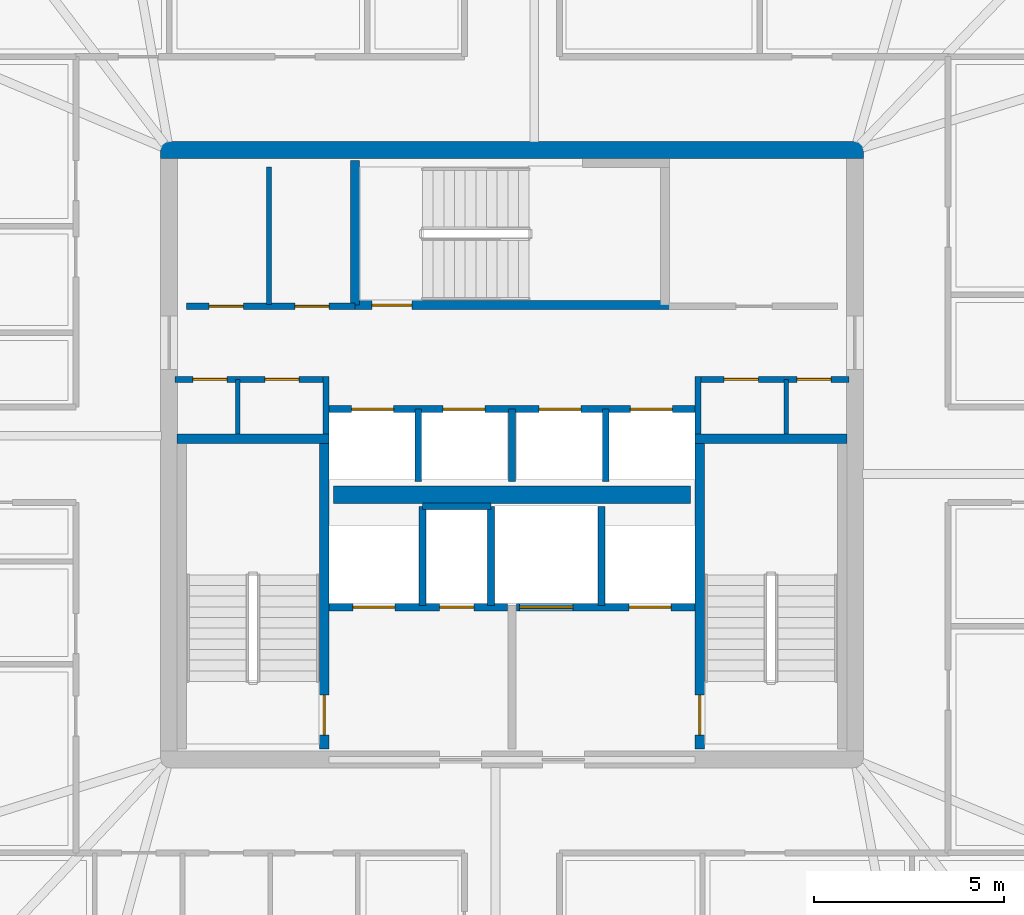
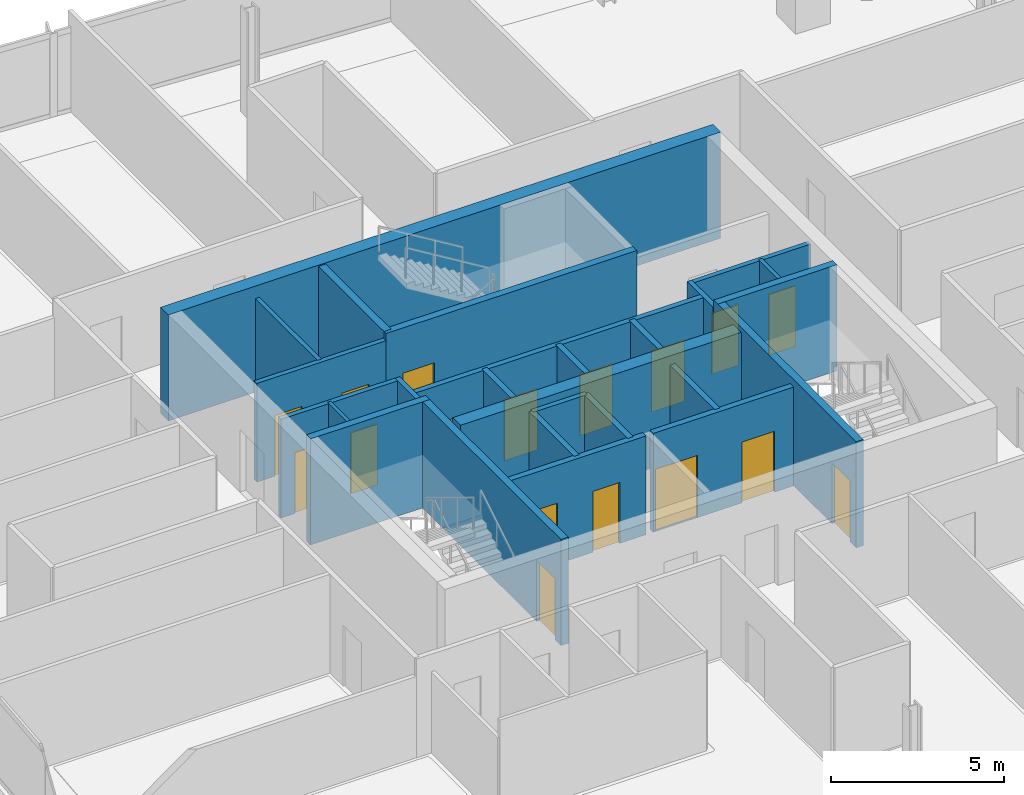
# One storey, part 19 of 24: 26 walls, 17 doors, 17 openings.
"""IFC4 building model written with IfcOpenShell, lengths in metres."""

import ifcopenshell
import ifcopenshell.guid

model = None  # the IFC model being written
_history = None  # IfcOwnerHistory: only IFC2X3 demands one
_inside = {}  # id of a spatial element -> (the spatial element, [elements in it])
_under = {}  # id of a project, library or spatial element -> (it, [spatial elements below it])
_declared = {}  # id of a project -> (the project, [libraries it declares])
_typed = {}  # id of a type object -> (the type object, [elements of that type])
_made_of = {}  # id of a material, layer set ... -> (it, [elements and type objects made of it])


def new_model(schema):
    """Start an empty IFC model of exactly this schema.

    Asked for "IFC4X3", IfcOpenShell would pick the latest addendum, in which some entities
    have other attributes; the version numbers below select the first issue.
    IFC2X3 requires an IfcOwnerHistory on every rooted entity: one is made here for all.
    """
    global model, _history
    if schema == "IFC4X3":
        model = ifcopenshell.file(schema_version=(4, 3, 0, 0))
    else:
        model = ifcopenshell.file(schema=schema)
    _inside.clear()
    _under.clear()
    _declared.clear()
    _typed.clear()
    _made_of.clear()
    _history = None
    if model.schema == "IFC2X3":
        org = make("IfcOrganization", Name="unknown")
        user = make(
            "IfcPersonAndOrganization",
            ThePerson=make("IfcPerson", FamilyName="unknown"),
            TheOrganization=org,
        )
        app = make(
            "IfcApplication",
            ApplicationDeveloper=org,
            Version="unknown",
            ApplicationFullName="unknown",
            ApplicationIdentifier="unknown",
        )
        _history = make(
            "IfcOwnerHistory",
            OwningUser=user,
            OwningApplication=app,
            ChangeAction="ADDED",
            CreationDate=0,
        )
    return model


def make(cls, **values):
    """One entity of the class cls with the attributes given. An attribute that is None is left unset."""
    return model.create_entity(
        cls, **{name: value for name, value in values.items() if value is not None}
    )


def rooted(cls, **values):
    """An entity with a GlobalId (a new one), such as an element, a storey or a relation."""
    return make(cls, GlobalId=ifcopenshell.guid.new(), OwnerHistory=_history, **values)


def si_unit(unit_type, name, prefix=None):
    """IfcSIUnit, for example si_unit("LENGTHUNIT", "METRE", prefix="MILLI")."""
    return make("IfcSIUnit", UnitType=unit_type, Prefix=prefix, Name=name)


def assignment(units):
    """IfcUnitAssignment: the units of a project."""
    return None if units is None else make("IfcUnitAssignment", Units=units)


def point(xyz):
    """IfcCartesianPoint."""
    return None if xyz is None else make("IfcCartesianPoint", Coordinates=xyz)


def direction(xyz):
    """IfcDirection."""
    return None if xyz is None else make("IfcDirection", DirectionRatios=xyz)


def frame(location, z_axis=None, x_axis=None):
    """IfcAxis2Placement3D, a coordinate frame: its origin and axes. An axis left out is left unset."""
    return make(
        "IfcAxis2Placement3D",
        Location=point(location),
        Axis=direction(z_axis),
        RefDirection=direction(x_axis),
    )


def frame_2d(location, x_axis=None):
    """IfcAxis2Placement2D, a coordinate frame in the plane: its origin and x axis."""
    return make(
        "IfcAxis2Placement2D", Location=point(location), RefDirection=direction(x_axis)
    )


def origin():
    """The frame at (0, 0, 0) with its axes left unset."""
    return frame((0.0, 0.0, 0.0))


def place(relative_to, where):
    """IfcLocalPlacement: puts the frame where relative to a parent placement (None: the world)."""
    return make(
        "IfcLocalPlacement", PlacementRelTo=relative_to, RelativePlacement=where
    )


def context(
    kind, dimensions, precision=None, world=None, true_north=None, identifier=None
):
    """IfcGeometricRepresentationContext, for example the 3D "Model" context."""
    return make(
        "IfcGeometricRepresentationContext",
        ContextIdentifier=identifier,
        ContextType=kind,
        CoordinateSpaceDimension=dimensions,
        Precision=precision,
        WorldCoordinateSystem=world,
        TrueNorth=true_north,
    )


def subcontext(parent, identifier, kind, view, scale=None):
    """IfcGeometricRepresentationSubContext, for example "Body" below "Model"."""
    return make(
        "IfcGeometricRepresentationSubContext",
        ContextIdentifier=identifier,
        ContextType=kind,
        ParentContext=parent,
        TargetScale=scale,
        TargetView=view,
    )


def project(units=None, contexts=None):
    """IfcProject with its units and contexts."""
    return rooted(
        "IfcProject",
        Name="project",
        RepresentationContexts=contexts,
        UnitsInContext=assignment(units),
    )


def spatial(cls, under=None, at=None, **own):
    """A site, building, storey or space (cls), placed at a placement, below another one or the project."""
    s = rooted(cls, ObjectPlacement=at, **own)
    if under is not None:
        _under.setdefault(under.id(), (under, []))[1].append(s)
    return s


def profile(cls, at=None, kind="AREA", **sizes):
    """A parametric profile (cls). Its sizes go by their IFC names, for example OverallWidth=200.0."""
    return make(cls, ProfileType=kind, Position=at, **sizes)


def rectangle(**sizes):
    """IfcRectangleProfileDef."""
    return profile("IfcRectangleProfileDef", **sizes)


def extrude(swept, where, along, depth):
    """IfcExtrudedAreaSolid: the profile swept, set in the frame where, extruded along a direction by depth."""
    return make(
        "IfcExtrudedAreaSolid",
        SweptArea=swept,
        Position=where,
        ExtrudedDirection=direction(along),
        Depth=depth,
    )


def shape(context_of_items, identifier, shape_type, items):
    """IfcShapeRepresentation: the items that make up one representation, for example the "Body"."""
    return make(
        "IfcShapeRepresentation",
        ContextOfItems=context_of_items,
        RepresentationIdentifier=identifier,
        RepresentationType=shape_type,
        Items=items,
    )


def material(Name=None, Category=None):
    """IfcMaterial."""
    return make("IfcMaterial", Name=Name, Category=Category)


def layer(
    of_material, thickness, ventilated=None, Name=None, Category=None, Priority=None
):
    """IfcMaterialLayer: one layer of a wall or slab, of a material (None: an air gap)."""
    return make(
        "IfcMaterialLayer",
        Material=of_material,
        LayerThickness=thickness,
        IsVentilated=ventilated,
        Name=Name,
        Category=Category,
        Priority=Priority,
    )


def layer_set(layers, Name=None):
    """IfcMaterialLayerSet."""
    return make("IfcMaterialLayerSet", MaterialLayers=layers, LayerSetName=Name)


def made_of(thing, what):
    """Note that an element or type object is made of a material, layer set ...; save() writes the relation."""
    if what is not None:
        _made_of.setdefault(what.id(), (what, []))[1].append(thing)
    return thing


def type_object(cls, material=None, **own):
    """A type object (cls), such as IfcWallType, which elements share."""
    return made_of(rooted(cls, **own), material)


def element(
    cls,
    number,
    at=None,
    inside=None,
    cuts=None,
    type_object=None,
    material=None,
    context=None,
    identifier="Body",
    shape_type=None,
    held_by="IfcProductDefinitionShape",
    body=None,
    shapes=None,
    **own,
):
    """One element of the class cls, such as IfcWall. Its Tag is "e" and its number.

    at: its placement. inside: the storey or other place that contains it. cuts: it is an
    opening in that element (IfcRelVoidsElement). A single representation is given by context,
    identifier, shape_type and body (its items); several are given by shapes. held_by: the class
    of the entity that holds the representations. save() writes the other relations.
    """
    e = rooted(cls, Tag="e%d" % number, ObjectPlacement=at, **own)
    if body is not None:
        shapes = [shape(context, identifier, shape_type, body)]
    if shapes is not None:
        e.Representation = make(held_by, Representations=shapes)
    if inside is not None:
        _inside.setdefault(inside.id(), (inside, []))[1].append(e)
    if cuts is not None:
        rooted(
            "IfcRelVoidsElement", RelatingBuildingElement=cuts, RelatedOpeningElement=e
        )
    if type_object is not None:
        _typed.setdefault(type_object.id(), (type_object, []))[1].append(e)
    return made_of(e, material)


def fill(opening, filler):
    """IfcRelFillsElement: the door or window that sits in an opening."""
    return rooted(
        "IfcRelFillsElement",
        RelatingOpeningElement=opening,
        RelatedBuildingElement=filler,
    )


def aggregate(whole, parts):
    """IfcRelAggregates: a whole, such as a stair, and the parts it consists of."""
    return rooted("IfcRelAggregates", RelatingObject=whole, RelatedObjects=parts)


def save(model, path):
    """Write the relations noted so far, then the file.

    IfcRelAggregates (storeys below a building ...), IfcRelContainedInSpatialStructure (elements
    in a storey), IfcRelDefinesByType, IfcRelAssociatesMaterial and IfcRelDeclares: one each for
    every whole, place, type object, material and project.
    """
    for whole, parts in _under.values():
        aggregate(whole, parts)
    for where, things in _inside.values():
        rooted(
            "IfcRelContainedInSpatialStructure",
            RelatedElements=things,
            RelatingStructure=where,
        )
    for kind, things in _typed.values():
        rooted("IfcRelDefinesByType", RelatedObjects=things, RelatingType=kind)
    for what, things in _made_of.values():
        rooted("IfcRelAssociatesMaterial", RelatedObjects=things, RelatingMaterial=what)
    for by, libraries in _declared.values():
        rooted("IfcRelDeclares", RelatingContext=by, RelatedDefinitions=libraries)
    model.write(path)


model = new_model("IFC4")

# Units and contexts
model_context = context("Model", 3, precision=1e-05, world=origin(), true_north=direction((0.0, 1.0)))
body_context = subcontext(model_context, "Body", "Model", "MODEL_VIEW")
ifc_project = project(units=[si_unit("LENGTHUNIT", "METRE"), si_unit("AREAUNIT", "SQUARE_METRE"), si_unit("VOLUMEUNIT", "CUBIC_METRE"), si_unit("PLANEANGLEUNIT", "RADIAN"), si_unit("MASSUNIT", "GRAM", prefix="KILO")], contexts=[model_context])

# Site, building, storey
site_placement = place(None, origin())
site = spatial("IfcSite", under=ifc_project, at=site_placement, CompositionType="ELEMENT")
building_placement = place(site_placement, origin())
building = spatial("IfcBuilding", under=site, at=building_placement, Name="Haldenkirk Collegiate Tower", CompositionType="ELEMENT")
storey_placement = place(building_placement, frame((0.0, 0.0, 317.699951171875)))
storey = spatial("IfcBuildingStorey", under=building, at=storey_placement, Name="L80", CompositionType="ELEMENT", Elevation=317.699951171875)

# Walls
ifc_material_1 = material(Name="Concrete f'c 55 MPa", Category="concrete")
ifc_layer_1 = layer(ifc_material_1, 0.449951171875)
ifc_layer_set_1 = layer_set([ifc_layer_1], Name="Concrete f'c 55 MPa")
wall_type_1 = type_object("IfcWallType", Name="WL-CORE-450", PredefinedType="SHEAR", material=ifc_layer_set_1)
wall_1_placement = place(storey_placement, frame((26.77490234375, 34.0, 0.0), z_axis=(0.0, 0.0, 1.0), x_axis=(1.0, 0.0, 0.0)))
element("IfcWall", 1, at=wall_1_placement, inside=storey, type_object=wall_type_1, Name="L80 central core shear wall N", PredefinedType="SHEAR", context=body_context, shape_type="SweptSolid", body=[
    extrude(rectangle(XDim=18.4501953125, YDim=0.449951171875, at=frame_2d((9.22509765625, 0.0))), origin(), (0.0, 0.0, 1.0), 3.75),
])
wall_2_placement = place(storey_placement, frame((31.31005859375, 24.949951171875, 0.0), z_axis=(0.0, 0.0, 1.0), x_axis=(1.0, 0.0, 0.0)))
element("IfcWall", 2, at=wall_2_placement, inside=storey, type_object=wall_type_1, Name="L80 central core spine shear wall", PredefinedType="SHEAR", context=body_context, shape_type="SweptSolid", body=[
    extrude(rectangle(XDim=9.3798828125, YDim=0.449951171875, at=frame_2d((4.68994140625, 0.0))), origin(), (0.0, 0.0, 1.0), 3.75),
])

# Wall, openings, doors
ifc_material_2 = material(Name="Acoustic fire-rated gypsum partition", Category="concrete")
ifc_layer_2 = layer(ifc_material_2, 0.159912109375)
ifc_layer_set_2 = layer_set([ifc_layer_2], Name="Acoustic fire-rated gypsum partition")
wall_type_2 = type_object("IfcWallType", Name="WL-INT-CORR-160", PredefinedType="PARTITIONING", material=ifc_layer_set_2)
wall_3_placement = place(storey_placement, frame((27.14990234375, 27.97998046875, 0.0), z_axis=(0.0, 0.0, 1.0), x_axis=(1.0, 0.0, 0.0)))
wall_3 = element("IfcWall", 3, at=wall_3_placement, inside=storey, type_object=wall_type_2, Name="L80 interior partition IW-L80-VCSW-N", PredefinedType="PARTITIONING", context=body_context, shape_type="SweptSolid", body=[
    extrude(rectangle(XDim=4.050048828125, YDim=0.159912109375, at=frame_2d((2.02490234375, 0.0))), origin(), (0.0, 0.0, 1.0), 3.489990234375),
])
opening_1_placement = place(wall_3_placement, frame((0.469970703125, 0.0, 0.0)))
opening_1 = element("IfcOpeningElement", 4, at=opening_1_placement, cuts=wall_3, Name="Opening D-11", PredefinedType="OPENING", context=body_context, shape_type="SweptSolid", body=[
    extrude(rectangle(XDim=0.89990234375, YDim=2.14990234375, at=frame_2d((0.449951171875, 1.074951171875))), frame((0.0, 0.08984375, 0.0), z_axis=(0.0, -1.0, 0.0), x_axis=(1.0, 0.0, 0.0)), (0.0, 0.0, 1.0), 0.179931640625),
])
opening_2_placement = place(wall_3_placement, frame((2.360107421875, 0.0, 0.0)))
opening_2 = element("IfcOpeningElement", 5, at=opening_2_placement, cuts=wall_3, Name="Opening D-11", PredefinedType="OPENING", context=body_context, shape_type="SweptSolid", body=[
    extrude(rectangle(XDim=0.89990234375, YDim=2.14990234375, at=frame_2d((0.449951171875, 1.074951171875))), frame((0.0, 0.08984375, 0.0), z_axis=(0.0, -1.0, 0.0), x_axis=(1.0, 0.0, 0.0)), (0.0, 0.0, 1.0), 0.179931640625),
])
ifc_material_3 = material(Name="Solid-core architectural oak fire door", Category="wood")
ifc_layer_3 = layer(ifc_material_3, 0.06005859375)
ifc_layer_set_3 = layer_set([ifc_layer_3], Name="Solid-core architectural oak fire door")
door_type_1 = type_object("IfcDoorType", Name="DR-INT-FD60-900", OperationType="NOTDEFINED", PredefinedType="DOOR", material=ifc_layer_set_3)
door_1_placement = place(opening_1_placement, origin())
door_1 = element("IfcDoor", 6, at=door_1_placement, inside=storey, type_object=door_type_1, Name="L80 core AV closet door", OperationType="SINGLE_SWING_RIGHT", OverallHeight=2.14990234375, OverallWidth=0.89990234375, PredefinedType="DOOR", context=body_context, shape_type="SweptSolid", body=[
    extrude(rectangle(XDim=0.89990234375, YDim=2.14990234375, at=frame_2d((0.449951171875, 1.074951171875))), frame((0.0, 0.02490234375, 0.0), z_axis=(0.0, -1.0, 0.0), x_axis=(1.0, 0.0, 0.0)), (0.0, 0.0, 1.0), 0.050048828125),
])
fill(opening_1, door_1)
door_2_placement = place(opening_2_placement, origin())
door_2 = element("IfcDoor", 7, at=door_2_placement, inside=storey, type_object=door_type_1, Name="L80 core supply closet door", OperationType="SINGLE_SWING_LEFT", OverallHeight=2.14990234375, OverallWidth=0.89990234375, PredefinedType="DOOR", context=body_context, shape_type="SweptSolid", body=[
    extrude(rectangle(XDim=0.89990234375, YDim=2.14990234375, at=frame_2d((0.449951171875, 1.074951171875))), frame((0.0, 0.02490234375, 0.0), z_axis=(0.0, -1.0, 0.0), x_axis=(1.0, 0.0, 0.0)), (0.0, 0.0, 1.0), 0.050048828125),
])
fill(opening_2, door_2)

# Wall
wall_4_placement = place(storey_placement, frame((31.1201171875, 26.5400390625, 0.0), z_axis=(0.0, 0.0, 1.0), x_axis=(0.0, 1.0, 0.0)))
element("IfcWall", 8, at=wall_4_placement, inside=storey, type_object=wall_type_2, Name="L80 interior partition IW-L80-VCSW-E", PredefinedType="PARTITIONING", context=body_context, shape_type="SweptSolid", body=[
    extrude(rectangle(XDim=1.510009765625, YDim=0.159912109375, at=frame_2d((0.7548828125, 0.0))), origin(), (0.0, 0.0, 1.0), 3.489990234375),
])

# Wall, openings, doors
wall_5_placement = place(storey_placement, frame((40.800048828125, 27.97998046875, 0.0), z_axis=(0.0, 0.0, 1.0), x_axis=(1.0, 0.0, 0.0)))
wall_5 = element("IfcWall", 9, at=wall_5_placement, inside=storey, type_object=wall_type_2, Name="L80 interior partition IW-L80-VCSE-N", PredefinedType="PARTITIONING", context=body_context, shape_type="SweptSolid", body=[
    extrude(rectangle(XDim=4.050048828125, YDim=0.159912109375, at=frame_2d((2.02490234375, 0.0))), origin(), (0.0, 0.0, 1.0), 3.489990234375),
])
opening_3_placement = place(wall_5_placement, frame((0.77001953125, 0.0, 0.0)))
opening_3 = element("IfcOpeningElement", 10, at=opening_3_placement, cuts=wall_5, Name="Opening D-11", PredefinedType="OPENING", context=body_context, shape_type="SweptSolid", body=[
    extrude(rectangle(XDim=0.89990234375, YDim=2.14990234375, at=frame_2d((0.449951171875, 1.074951171875))), frame((0.0, 0.08984375, 0.0), z_axis=(0.0, -1.0, 0.0), x_axis=(1.0, 0.0, 0.0)), (0.0, 0.0, 1.0), 0.179931640625),
])
opening_4_placement = place(wall_5_placement, frame((2.679931640625, 0.0, 0.0)))
opening_4 = element("IfcOpeningElement", 11, at=opening_4_placement, cuts=wall_5, Name="Opening D-11", PredefinedType="OPENING", context=body_context, shape_type="SweptSolid", body=[
    extrude(rectangle(XDim=0.89990234375, YDim=2.14990234375, at=frame_2d((0.449951171875, 1.074951171875))), frame((0.0, 0.08984375, 0.0), z_axis=(0.0, -1.0, 0.0), x_axis=(1.0, 0.0, 0.0)), (0.0, 0.0, 1.0), 0.179931640625),
])
door_3_placement = place(opening_3_placement, origin())
door_3 = element("IfcDoor", 12, at=door_3_placement, inside=storey, type_object=door_type_1, Name="L80 core archive door", OperationType="SINGLE_SWING_RIGHT", OverallHeight=2.14990234375, OverallWidth=0.89990234375, PredefinedType="DOOR", context=body_context, shape_type="SweptSolid", body=[
    extrude(rectangle(XDim=0.89990234375, YDim=2.14990234375, at=frame_2d((0.449951171875, 1.074951171875))), frame((0.0, 0.02490234375, 0.0), z_axis=(0.0, -1.0, 0.0), x_axis=(1.0, 0.0, 0.0)), (0.0, 0.0, 1.0), 0.050048828125),
])
fill(opening_3, door_3)
door_4_placement = place(opening_4_placement, origin())
door_4 = element("IfcDoor", 13, at=door_4_placement, inside=storey, type_object=door_type_1, Name="L80 core telecom door", OperationType="SINGLE_SWING_LEFT", OverallHeight=2.14990234375, OverallWidth=0.89990234375, PredefinedType="DOOR", context=body_context, shape_type="SweptSolid", body=[
    extrude(rectangle(XDim=0.89990234375, YDim=2.14990234375, at=frame_2d((0.449951171875, 1.074951171875))), frame((0.0, 0.02490234375, 0.0), z_axis=(0.0, -1.0, 0.0), x_axis=(1.0, 0.0, 0.0)), (0.0, 0.0, 1.0), 0.050048828125),
])
fill(opening_4, door_4)

# Wall
wall_6_placement = place(storey_placement, frame((40.8798828125, 26.5400390625, 0.0), z_axis=(0.0, 0.0, 1.0), x_axis=(0.0, 1.0, 0.0)))
element("IfcWall", 14, at=wall_6_placement, inside=storey, type_object=wall_type_2, Name="L80 interior partition IW-L80-VCSE-W", PredefinedType="PARTITIONING", context=body_context, shape_type="SweptSolid", body=[
    extrude(rectangle(XDim=1.510009765625, YDim=0.159912109375, at=frame_2d((0.7548828125, 0.0))), origin(), (0.0, 0.0, 1.0), 3.489990234375),
])

# Wall, openings, doors
wall_7_placement = place(storey_placement, frame((27.449951171875, 29.89990234375, 0.0), z_axis=(0.0, 0.0, 1.0), x_axis=(1.0, 0.0, 0.0)))
wall_7 = element("IfcWall", 15, at=wall_7_placement, inside=storey, type_object=wall_type_2, Name="L80 interior partition IW-L80-PLS", PredefinedType="PARTITIONING", context=body_context, shape_type="SweptSolid", body=[
    extrude(rectangle(XDim=4.429931640625, YDim=0.159912109375, at=frame_2d((2.21484375, 0.0))), origin(), (0.0, 0.0, 1.0), 3.489990234375),
])
opening_5_placement = place(wall_7_placement, frame((0.60009765625, 0.0, 0.0)))
opening_5 = element("IfcOpeningElement", 16, at=opening_5_placement, cuts=wall_7, Name="Opening D-11", PredefinedType="OPENING", context=body_context, shape_type="SweptSolid", body=[
    extrude(rectangle(XDim=0.89990234375, YDim=2.14990234375, at=frame_2d((0.449951171875, 1.074951171875))), frame((0.0, 0.08984375, 0.0), z_axis=(0.0, -1.0, 0.0), x_axis=(1.0, 0.0, 0.0)), (0.0, 0.0, 1.0), 0.179931640625),
])
opening_6_placement = place(wall_7_placement, frame((2.85009765625, 0.0, 0.0)))
opening_6 = element("IfcOpeningElement", 17, at=opening_6_placement, cuts=wall_7, Name="Opening D-11", PredefinedType="OPENING", context=body_context, shape_type="SweptSolid", body=[
    extrude(rectangle(XDim=0.89990234375, YDim=2.14990234375, at=frame_2d((0.449951171875, 1.074951171875))), frame((0.0, 0.08984375, 0.0), z_axis=(0.0, -1.0, 0.0), x_axis=(1.0, 0.0, 0.0)), (0.0, 0.0, 1.0), 0.179931640625),
])
door_5_placement = place(opening_5_placement, origin())
door_5 = element("IfcDoor", 18, at=door_5_placement, inside=storey, type_object=door_type_1, Name="L80 tea kitchen door", OperationType="SINGLE_SWING_RIGHT", OverallHeight=2.14990234375, OverallWidth=0.89990234375, PredefinedType="DOOR", context=body_context, shape_type="SweptSolid", body=[
    extrude(rectangle(XDim=0.89990234375, YDim=2.14990234375, at=frame_2d((0.449951171875, 1.074951171875))), frame((0.0, 0.02490234375, 0.0), z_axis=(0.0, -1.0, 0.0), x_axis=(1.0, 0.0, 0.0)), (0.0, 0.0, 1.0), 0.050048828125),
])
fill(opening_5, door_5)
door_6_placement = place(opening_6_placement, origin())
door_6 = element("IfcDoor", 19, at=door_6_placement, inside=storey, type_object=door_type_1, Name="L80 IT room door", OperationType="SINGLE_SWING_LEFT", OverallHeight=2.14990234375, OverallWidth=0.89990234375, PredefinedType="DOOR", context=body_context, shape_type="SweptSolid", body=[
    extrude(rectangle(XDim=0.89990234375, YDim=2.14990234375, at=frame_2d((0.449951171875, 1.074951171875))), frame((0.0, 0.02490234375, 0.0), z_axis=(0.0, -1.0, 0.0), x_axis=(1.0, 0.0, 0.0)), (0.0, 0.0, 1.0), 0.050048828125),
])
fill(opening_6, door_6)

# Walls
ifc_layer_4 = layer(ifc_material_2, 0.139892578125)
ifc_layer_set_4 = layer_set([ifc_layer_4], Name="Acoustic fire-rated gypsum partition")
wall_type_3 = type_object("IfcWallType", Name="WL-INT-DIV-140", PredefinedType="PARTITIONING", material=ifc_layer_set_4)
wall_8_placement = place(storey_placement, frame((29.6201171875, 29.949951171875, 0.0), z_axis=(0.0, 0.0, 1.0), x_axis=(0.0, 1.0, 0.0)))
element("IfcWall", 20, at=wall_8_placement, inside=storey, type_object=wall_type_3, Name="L80 interior partition IW-L80-PLDIV", PredefinedType="PARTITIONING", context=body_context, shape_type="SweptSolid", body=[
    extrude(rectangle(XDim=3.60009765625, YDim=0.139892578125, at=frame_2d((1.800048828125, 0.0))), origin(), (0.0, 0.0, 1.0), 3.489990234375),
])
ifc_material_4 = material(Name="Fire-rated gypsum shaftboard assembly", Category="concrete")
ifc_layer_5 = layer(ifc_material_4, 0.179931640625)
ifc_layer_set_5 = layer_set([ifc_layer_5], Name="Fire-rated gypsum shaftboard assembly")
wall_type_4 = type_object("IfcWallType", Name="WL-INT-SHAFT-180", PredefinedType="PARTITIONING", material=ifc_layer_set_5)
for number, where, z_axis, x_axis, name in (
    (21, (33.64990234375, 22.050048828125, 0.0), (0.0, 0.0, 1.0), (0.0, 1.0, 0.0), "L80 interior partition IW-L80-FL1E"),
    (22, (35.449951171875, 22.050048828125, 0.0), (0.0, 0.0, 1.0), (0.0, 1.0, 0.0), "L80 interior partition IW-L80-GL1W"),
):
    element("IfcWall", number, at=place(storey_placement, frame(where, z_axis=z_axis, x_axis=x_axis)), inside=storey, type_object=wall_type_4, Name=name, PredefinedType="PARTITIONING", context=body_context, shape_type="SweptSolid", body=[
        extrude(rectangle(XDim=2.599853515625, YDim=0.179931640625, at=frame_2d((1.2998046875, 0.0))), origin(), (0.0, 0.0, 1.0), 3.489990234375),
    ])
wall_9_placement = place(storey_placement, frame((33.64990234375, 24.64990234375, 0.0), z_axis=(0.0, 0.0, 1.0), x_axis=(1.0, 0.0, 0.0)))
element("IfcWall", 23, at=wall_9_placement, inside=storey, type_object=wall_type_4, Name="L80 interior partition IW-L80-RSRN", PredefinedType="PARTITIONING", context=body_context, shape_type="SweptSolid", body=[
    extrude(rectangle(XDim=1.800048828125, YDim=0.179931640625, at=frame_2d((0.89990234375, 0.0))), origin(), (0.0, 0.0, 1.0), 3.489990234375),
])
wall_10_placement = place(storey_placement, frame((38.35009765625, 22.050048828125, 0.0), z_axis=(0.0, 0.0, 1.0), x_axis=(0.0, 1.0, 0.0)))
element("IfcWall", 24, at=wall_10_placement, inside=storey, type_object=wall_type_4, Name="L80 interior partition IW-L80-GL1E", PredefinedType="PARTITIONING", context=body_context, shape_type="SweptSolid", body=[
    extrude(rectangle(XDim=2.599853515625, YDim=0.179931640625, at=frame_2d((1.2998046875, 0.0))), origin(), (0.0, 0.0, 1.0), 3.489990234375),
])

# Wall, openings, doors
wall_11_placement = place(storey_placement, frame((31.199951171875, 27.199951171875, 0.0), z_axis=(0.0, 0.0, 1.0), x_axis=(1.0, 0.0, 0.0)))
wall_11 = element("IfcWall", 25, at=wall_11_placement, inside=storey, type_object=wall_type_4, Name="L80 interior partition IW-L80-PHN", PredefinedType="PARTITIONING", context=body_context, shape_type="SweptSolid", body=[
    extrude(rectangle(XDim=9.60009765625, YDim=0.179931640625, at=frame_2d((4.800048828125, 0.0))), origin(), (0.0, 0.0, 1.0), 3.489990234375),
])
opening_7_placement = place(wall_11_placement, frame((0.590087890625, 0.0, 0.0)))
opening_7 = element("IfcOpeningElement", 26, at=opening_7_placement, cuts=wall_11, Name="Opening LD-11", PredefinedType="OPENING", context=body_context, shape_type="SweptSolid", body=[
    extrude(rectangle(XDim=1.10009765625, YDim=2.14990234375, at=frame_2d((0.550048828125, 1.074951171875))), frame((0.0, 0.099853515625, 0.0), z_axis=(0.0, -1.0, 0.0), x_axis=(1.0, 0.0, 0.0)), (0.0, 0.0, 1.0), 0.199951171875),
])
opening_8_placement = place(wall_11_placement, frame((2.989990234375, 0.0, 0.0)))
opening_8 = element("IfcOpeningElement", 27, at=opening_8_placement, cuts=wall_11, Name="Opening LD-11", PredefinedType="OPENING", context=body_context, shape_type="SweptSolid", body=[
    extrude(rectangle(XDim=1.10009765625, YDim=2.14990234375, at=frame_2d((0.550048828125, 1.074951171875))), frame((0.0, 0.099853515625, 0.0), z_axis=(0.0, -1.0, 0.0), x_axis=(1.0, 0.0, 0.0)), (0.0, 0.0, 1.0), 0.199951171875),
])
opening_9_placement = place(wall_11_placement, frame((5.510009765625, 0.0, 0.0)))
opening_9 = element("IfcOpeningElement", 28, at=opening_9_placement, cuts=wall_11, Name="Opening LD-11", PredefinedType="OPENING", context=body_context, shape_type="SweptSolid", body=[
    extrude(rectangle(XDim=1.10009765625, YDim=2.14990234375, at=frame_2d((0.550048828125, 1.074951171875))), frame((0.0, 0.099853515625, 0.0), z_axis=(0.0, -1.0, 0.0), x_axis=(1.0, 0.0, 0.0)), (0.0, 0.0, 1.0), 0.199951171875),
])
opening_10_placement = place(wall_11_placement, frame((7.909912109375, 0.0, 0.0)))
opening_10 = element("IfcOpeningElement", 29, at=opening_10_placement, cuts=wall_11, Name="Opening LD-11", PredefinedType="OPENING", context=body_context, shape_type="SweptSolid", body=[
    extrude(rectangle(XDim=1.10009765625, YDim=2.14990234375, at=frame_2d((0.550048828125, 1.074951171875))), frame((0.0, 0.099853515625, 0.0), z_axis=(0.0, -1.0, 0.0), x_axis=(1.0, 0.0, 0.0)), (0.0, 0.0, 1.0), 0.199951171875),
])
ifc_material_5 = material(Name="Brushed architectural stainless steel", Category="steel")
ifc_layer_6 = layer(ifc_material_5, 0.06005859375)
ifc_layer_set_6 = layer_set([ifc_layer_6], Name="Brushed architectural stainless steel")
door_type_2 = type_object("IfcDoorType", Name="LD-PASS-1100", OperationType="NOTDEFINED", PredefinedType="DOOR", material=ifc_layer_set_6)
door_7_placement = place(opening_7_placement, origin())
door_7 = element("IfcDoor", 30, at=door_7_placement, inside=storey, type_object=door_type_2, Name="L80 Elevator PH1 sliding landing door", OperationType="SLIDING_TO_LEFT", OverallHeight=2.14990234375, OverallWidth=1.10009765625, PredefinedType="DOOR", context=body_context, shape_type="SweptSolid", body=[
    extrude(rectangle(XDim=1.10009765625, YDim=2.14990234375, at=frame_2d((0.550048828125, 1.074951171875))), frame((0.0, 0.02490234375, 0.0), z_axis=(0.0, -1.0, 0.0), x_axis=(1.0, 0.0, 0.0)), (0.0, 0.0, 1.0), 0.050048828125),
])
fill(opening_7, door_7)
door_8_placement = place(opening_8_placement, origin())
door_8 = element("IfcDoor", 31, at=door_8_placement, inside=storey, type_object=door_type_2, Name="L80 Elevator PH2 sliding landing door", OperationType="SLIDING_TO_LEFT", OverallHeight=2.14990234375, OverallWidth=1.10009765625, PredefinedType="DOOR", context=body_context, shape_type="SweptSolid", body=[
    extrude(rectangle(XDim=1.10009765625, YDim=2.14990234375, at=frame_2d((0.550048828125, 1.074951171875))), frame((0.0, 0.02490234375, 0.0), z_axis=(0.0, -1.0, 0.0), x_axis=(1.0, 0.0, 0.0)), (0.0, 0.0, 1.0), 0.050048828125),
])
fill(opening_8, door_8)
door_9_placement = place(opening_9_placement, origin())
door_9 = element("IfcDoor", 32, at=door_9_placement, inside=storey, type_object=door_type_2, Name="L80 Elevator PH3 sliding landing door", OperationType="SLIDING_TO_LEFT", OverallHeight=2.14990234375, OverallWidth=1.10009765625, PredefinedType="DOOR", context=body_context, shape_type="SweptSolid", body=[
    extrude(rectangle(XDim=1.10009765625, YDim=2.14990234375, at=frame_2d((0.550048828125, 1.074951171875))), frame((0.0, 0.02490234375, 0.0), z_axis=(0.0, -1.0, 0.0), x_axis=(1.0, 0.0, 0.0)), (0.0, 0.0, 1.0), 0.050048828125),
])
fill(opening_9, door_9)
door_10_placement = place(opening_10_placement, origin())
door_10 = element("IfcDoor", 33, at=door_10_placement, inside=storey, type_object=door_type_2, Name="L80 Elevator PH4 sliding landing door", OperationType="SLIDING_TO_LEFT", OverallHeight=2.14990234375, OverallWidth=1.10009765625, PredefinedType="DOOR", context=body_context, shape_type="SweptSolid", body=[
    extrude(rectangle(XDim=1.10009765625, YDim=2.14990234375, at=frame_2d((0.550048828125, 1.074951171875))), frame((0.0, 0.02490234375, 0.0), z_axis=(0.0, -1.0, 0.0), x_axis=(1.0, 0.0, 0.0)), (0.0, 0.0, 1.0), 0.050048828125),
])
fill(opening_10, door_10)

# Walls
for number, where, z_axis, x_axis, name in (
    (34, (33.5400390625, 25.300048828125, 0.0), (0.0, 0.0, 1.0), (0.0, 1.0, 0.0), "L80 interior partition IW-L80-PHV1"),
    (35, (36.0, 25.300048828125, 0.0), (0.0, 0.0, 1.0), (0.0, 1.0, 0.0), "L80 interior partition IW-L80-PHV2"),
    (36, (38.4599609375, 25.300048828125, 0.0), (0.0, 0.0, 1.0), (0.0, 1.0, 0.0), "L80 interior partition IW-L80-PHV3"),
):
    element("IfcWall", number, at=place(storey_placement, frame(where, z_axis=z_axis, x_axis=x_axis)), inside=storey, type_object=wall_type_4, Name=name, PredefinedType="PARTITIONING", context=body_context, shape_type="SweptSolid", body=[
        extrude(rectangle(XDim=1.89990234375, YDim=0.179931640625, at=frame_2d((0.949951171875, 0.0))), origin(), (0.0, 0.0, 1.0), 3.489990234375),
    ])

# Wall, openings, doors
ifc_layer_7 = layer(ifc_material_4, 0.199951171875)
ifc_layer_set_7 = layer_set([ifc_layer_7], Name="Fire-rated gypsum shaftboard assembly")
wall_type_5 = type_object("IfcWallType", Name="WL-INT-SHAFT-200", PredefinedType="PARTITIONING", material=ifc_layer_set_7)
wall_12_placement = place(storey_placement, frame((31.18994140625, 22.0, 0.0), z_axis=(0.0, 0.0, 1.0), x_axis=(1.0, 0.0, 0.0)))
wall_12 = element("IfcWall", 37, at=wall_12_placement, inside=storey, type_object=wall_type_5, Name="L80 interior partition IW-L80-FFL1N", PredefinedType="PARTITIONING", context=body_context, shape_type="SweptSolid", body=[
    extrude(rectangle(XDim=4.68994140625, YDim=0.199951171875, at=frame_2d((2.344970703125, 0.0))), origin(), (0.0, 0.0, 1.0), 3.489990234375),
])
opening_11_placement = place(wall_12_placement, frame((2.909912109375, 0.0, 0.0)))
opening_11 = element("IfcOpeningElement", 38, at=opening_11_placement, cuts=wall_12, Name="Opening D-06", PredefinedType="OPENING", context=body_context, shape_type="SweptSolid", body=[
    extrude(rectangle(XDim=0.89990234375, YDim=2.14990234375, at=frame_2d((0.449951171875, 1.074951171875))), frame((0.0, 0.10986328125, 0.0), z_axis=(0.0, -1.0, 0.0), x_axis=(1.0, 0.0, 0.0)), (0.0, 0.0, 1.0), 0.219970703125),
])
opening_12_placement = place(wall_12_placement, frame((0.635009765625, 0.0, 0.0)))
opening_12 = element("IfcOpeningElement", 39, at=opening_12_placement, cuts=wall_12, Name="Opening LD-12", PredefinedType="OPENING", context=body_context, shape_type="SweptSolid", body=[
    extrude(rectangle(XDim=1.10009765625, YDim=2.14990234375, at=frame_2d((0.550048828125, 1.074951171875))), frame((0.0, 0.10986328125, 0.0), z_axis=(0.0, -1.0, 0.0), x_axis=(1.0, 0.0, 0.0)), (0.0, 0.0, 1.0), 0.219970703125),
])
ifc_material_6 = material(Name="Galvanized fire-rated hollow steel door", Category="steel")
ifc_layer_8 = layer(ifc_material_6, 0.06005859375)
ifc_layer_set_8 = layer_set([ifc_layer_8], Name="Galvanized fire-rated hollow steel door")
door_type_3 = type_object("IfcDoorType", Name="DR-INT-FD90-900", OperationType="NOTDEFINED", PredefinedType="DOOR", material=ifc_layer_set_8)
door_11_placement = place(opening_11_placement, origin())
door_11 = element("IfcDoor", 40, at=door_11_placement, inside=storey, type_object=door_type_3, Name="L80 electrical riser door", OperationType="SINGLE_SWING_RIGHT", OverallHeight=2.14990234375, OverallWidth=0.89990234375, PredefinedType="DOOR", context=body_context, shape_type="SweptSolid", body=[
    extrude(rectangle(XDim=0.89990234375, YDim=2.14990234375, at=frame_2d((0.449951171875, 1.074951171875))), frame((0.0, 0.02490234375, 0.0), z_axis=(0.0, -1.0, 0.0), x_axis=(1.0, 0.0, 0.0)), (0.0, 0.0, 1.0), 0.050048828125),
])
fill(opening_11, door_11)
ifc_layer_9 = layer(ifc_material_5, 0.06005859375)
ifc_layer_set_9 = layer_set([ifc_layer_9], Name="Brushed architectural stainless steel")
door_type_4 = type_object("IfcDoorType", Name="LD-FIRE-1100", OperationType="NOTDEFINED", PredefinedType="DOOR", material=ifc_layer_set_9)
door_12_placement = place(opening_12_placement, origin())
door_12 = element("IfcDoor", 41, at=door_12_placement, inside=storey, type_object=door_type_4, Name="L80 Elevator FL1 sliding landing door", OperationType="SLIDING_TO_LEFT", OverallHeight=2.14990234375, OverallWidth=1.10009765625, PredefinedType="DOOR", context=body_context, shape_type="SweptSolid", body=[
    extrude(rectangle(XDim=1.10009765625, YDim=2.14990234375, at=frame_2d((0.550048828125, 1.074951171875))), frame((0.0, 0.02490234375, 0.0), z_axis=(0.0, -1.0, 0.0), x_axis=(1.0, 0.0, 0.0)), (0.0, 0.0, 1.0), 0.050048828125),
])
fill(opening_12, door_12)

wall_13_placement = place(storey_placement, frame((36.1201171875, 22.0, 0.0), z_axis=(0.0, 0.0, 1.0), x_axis=(1.0, 0.0, 0.0)))
wall_13 = element("IfcWall", 42, at=wall_13_placement, inside=storey, type_object=wall_type_5, Name="L80 interior partition IW-L80-FFL2N", PredefinedType="PARTITIONING", context=body_context, shape_type="SweptSolid", body=[
    extrude(rectangle(XDim=4.68994140625, YDim=0.199951171875, at=frame_2d((2.344970703125, 0.0))), origin(), (0.0, 0.0, 1.0), 3.489990234375),
])
opening_13_placement = place(wall_13_placement, frame((2.955078125, 0.0, 0.0)))
opening_13 = element("IfcOpeningElement", 43, at=opening_13_placement, cuts=wall_13, Name="Opening LD-12", PredefinedType="OPENING", context=body_context, shape_type="SweptSolid", body=[
    extrude(rectangle(XDim=1.10009765625, YDim=2.14990234375, at=frame_2d((0.550048828125, 1.074951171875))), frame((0.0, 0.10986328125, 0.0), z_axis=(0.0, -1.0, 0.0), x_axis=(1.0, 0.0, 0.0)), (0.0, 0.0, 1.0), 0.219970703125),
])
opening_14_placement = place(wall_13_placement, frame((0.080078125, 0.0, 0.0)))
opening_14 = element("IfcOpeningElement", 44, at=opening_14_placement, cuts=wall_13, Name="Opening LD-13", PredefinedType="OPENING", context=body_context, shape_type="SweptSolid", body=[
    extrude(rectangle(XDim=1.39990234375, YDim=2.199951171875, at=frame_2d((0.699951171875, 1.10009765625))), frame((0.0, 0.10986328125, 0.0), z_axis=(0.0, -1.0, 0.0), x_axis=(1.0, 0.0, 0.0)), (0.0, 0.0, 1.0), 0.219970703125),
])
door_13_placement = place(opening_13_placement, origin())
door_13 = element("IfcDoor", 45, at=door_13_placement, inside=storey, type_object=door_type_4, Name="L80 Elevator FL2 sliding landing door", OperationType="SLIDING_TO_LEFT", OverallHeight=2.14990234375, OverallWidth=1.10009765625, PredefinedType="DOOR", context=body_context, shape_type="SweptSolid", body=[
    extrude(rectangle(XDim=1.10009765625, YDim=2.14990234375, at=frame_2d((0.550048828125, 1.074951171875))), frame((0.0, 0.02490234375, 0.0), z_axis=(0.0, -1.0, 0.0), x_axis=(1.0, 0.0, 0.0)), (0.0, 0.0, 1.0), 0.050048828125),
])
fill(opening_13, door_13)
ifc_layer_10 = layer(ifc_material_5, 0.06005859375)
ifc_layer_set_10 = layer_set([ifc_layer_10], Name="Brushed architectural stainless steel")
door_type_5 = type_object("IfcDoorType", Name="LD-GOODS-1400", OperationType="NOTDEFINED", PredefinedType="DOOR", material=ifc_layer_set_10)
door_14_placement = place(opening_14_placement, origin())
door_14 = element("IfcDoor", 46, at=door_14_placement, inside=storey, type_object=door_type_5, Name="L80 Elevator GL1 sliding landing door", OperationType="SLIDING_TO_LEFT", OverallHeight=2.199951171875, OverallWidth=1.39990234375, PredefinedType="DOOR", context=body_context, shape_type="SweptSolid", body=[
    extrude(rectangle(XDim=1.39990234375, YDim=2.199951171875, at=frame_2d((0.699951171875, 1.10009765625))), frame((0.0, 0.02490234375, 0.0), z_axis=(0.0, -1.0, 0.0), x_axis=(1.0, 0.0, 0.0)), (0.0, 0.0, 1.0), 0.050048828125),
])
fill(opening_14, door_14)

# Walls
ifc_layer_11 = layer(ifc_material_2, 0.1201171875)
ifc_layer_set_11 = layer_set([ifc_layer_11], Name="Acoustic fire-rated gypsum partition")
wall_type_6 = type_object("IfcWallType", Name="WL-INT-WET-120", PredefinedType="PARTITIONING", material=ifc_layer_set_11)
for number, where, z_axis, x_axis, name in (
    (47, (28.800048828125, 26.5400390625, 0.0), (0.0, 0.0, 1.0), (0.0, 1.0, 0.0), "L80 interior partition IW-L80-VCSW-M"),
    (48, (43.199951171875, 26.5400390625, 0.0), (0.0, 0.0, 1.0), (0.0, 1.0, 0.0), "L80 interior partition IW-L80-VCSE-M"),
):
    element("IfcWall", number, at=place(storey_placement, frame(where, z_axis=z_axis, x_axis=x_axis)), inside=storey, type_object=wall_type_6, Name=name, PredefinedType="PARTITIONING", context=body_context, shape_type="SweptSolid", body=[
        extrude(rectangle(XDim=1.43994140625, YDim=0.1201171875, at=frame_2d((0.719970703125, 0.0))), origin(), (0.0, 0.0, 1.0), 3.489990234375),
    ])

# Wall, opening, door
ifc_layer_12 = layer(ifc_material_1, 0.239990234375)
ifc_layer_set_12 = layer_set([ifc_layer_12], Name="Concrete f'c 55 MPa")
wall_type_7 = type_object("IfcWallType", Name="WL-SHAFT-240", PredefinedType="SHEAR", material=ifc_layer_set_12)
wall_14_placement = place(storey_placement, frame((31.070068359375, 18.280029296875, 0.0), z_axis=(0.0, 0.0, 1.0), x_axis=(0.0, 1.0, 0.0)))
wall_14 = element("IfcWall", 49, at=wall_14_placement, inside=storey, type_object=wall_type_7, Name="L80 stair shaft shear wall SW-L80-ST1E", PredefinedType="SHEAR", context=body_context, shape_type="SweptSolid", body=[
    extrude(rectangle(XDim=8.260009765625, YDim=0.239990234375, at=frame_2d((4.1298828125, 0.0))), origin(), (0.0, 0.0, 1.0), 3.75),
])
opening_15_placement = place(wall_14_placement, frame((0.364990234375, 0.0, 0.0)))
opening_15 = element("IfcOpeningElement", 50, at=opening_15_placement, cuts=wall_14, Name="Opening D-01", PredefinedType="OPENING", context=body_context, shape_type="SweptSolid", body=[
    extrude(rectangle(XDim=1.050048828125, YDim=2.14990234375, at=frame_2d((0.52490234375, 1.074951171875))), frame((0.0, 0.1298828125, 0.0), z_axis=(0.0, -1.0, 0.0), x_axis=(1.0, 0.0, 0.0)), (0.0, 0.0, 1.0), 0.260009765625),
])
ifc_layer_13 = layer(ifc_material_6, 0.06005859375)
ifc_layer_set_13 = layer_set([ifc_layer_13], Name="Galvanized fire-rated hollow steel door")
door_type_6 = type_object("IfcDoorType", Name="DR-STAIR-FD90-1050", OperationType="NOTDEFINED", PredefinedType="DOOR", material=ifc_layer_set_13)
door_15_placement = place(opening_15_placement, origin())
door_15 = element("IfcDoor", 51, at=door_15_placement, inside=storey, type_object=door_type_6, Name="L80 Stair 1 door", OperationType="SINGLE_SWING_LEFT", OverallHeight=2.14990234375, OverallWidth=1.050048828125, PredefinedType="DOOR", context=body_context, shape_type="SweptSolid", body=[
    extrude(rectangle(XDim=1.050048828125, YDim=2.14990234375, at=frame_2d((0.52490234375, 1.074951171875))), frame((0.0, 0.02490234375, 0.0), z_axis=(0.0, -1.0, 0.0), x_axis=(1.0, 0.0, 0.0)), (0.0, 0.0, 1.0), 0.050048828125),
])
fill(opening_15, door_15)

# Wall
wall_15_placement = place(storey_placement, frame((27.2099609375, 26.419921875, 0.0), z_axis=(0.0, 0.0, 1.0), x_axis=(1.0, 0.0, 0.0)))
element("IfcWall", 52, at=wall_15_placement, inside=storey, type_object=wall_type_7, Name="L80 stair shaft shear wall SW-L80-ST1N", PredefinedType="SHEAR", context=body_context, shape_type="SweptSolid", body=[
    extrude(rectangle(XDim=3.97998046875, YDim=0.239990234375, at=frame_2d((1.989990234375, 0.0))), origin(), (0.0, 0.0, 1.0), 3.75),
])

# Wall, opening, door
wall_16_placement = place(storey_placement, frame((40.929931640625, 18.280029296875, 0.0), z_axis=(0.0, 0.0, 1.0), x_axis=(0.0, 1.0, 0.0)))
wall_16 = element("IfcWall", 53, at=wall_16_placement, inside=storey, type_object=wall_type_7, Name="L80 stair shaft shear wall SW-L80-ST2W", PredefinedType="SHEAR", context=body_context, shape_type="SweptSolid", body=[
    extrude(rectangle(XDim=8.260009765625, YDim=0.239990234375, at=frame_2d((4.1298828125, 0.0))), origin(), (0.0, 0.0, 1.0), 3.75),
])
opening_16_placement = place(wall_16_placement, frame((0.364990234375, 0.0, 0.0)))
opening_16 = element("IfcOpeningElement", 54, at=opening_16_placement, cuts=wall_16, Name="Opening D-01", PredefinedType="OPENING", context=body_context, shape_type="SweptSolid", body=[
    extrude(rectangle(XDim=1.050048828125, YDim=2.14990234375, at=frame_2d((0.52490234375, 1.074951171875))), frame((0.0, 0.1298828125, 0.0), z_axis=(0.0, -1.0, 0.0), x_axis=(1.0, 0.0, 0.0)), (0.0, 0.0, 1.0), 0.260009765625),
])
door_16_placement = place(opening_16_placement, origin())
door_16 = element("IfcDoor", 55, at=door_16_placement, inside=storey, type_object=door_type_6, Name="L80 Stair 2 door", OperationType="SINGLE_SWING_RIGHT", OverallHeight=2.14990234375, OverallWidth=1.050048828125, PredefinedType="DOOR", context=body_context, shape_type="SweptSolid", body=[
    extrude(rectangle(XDim=1.050048828125, YDim=2.14990234375, at=frame_2d((0.52490234375, 1.074951171875))), frame((0.0, 0.02490234375, 0.0), z_axis=(0.0, -1.0, 0.0), x_axis=(1.0, 0.0, 0.0)), (0.0, 0.0, 1.0), 0.050048828125),
])
fill(opening_16, door_16)

# Wall
wall_17_placement = place(storey_placement, frame((40.81005859375, 26.419921875, 0.0), z_axis=(0.0, 0.0, 1.0), x_axis=(1.0, 0.0, 0.0)))
element("IfcWall", 56, at=wall_17_placement, inside=storey, type_object=wall_type_7, Name="L80 stair shaft shear wall SW-L80-ST2N", PredefinedType="SHEAR", context=body_context, shape_type="SweptSolid", body=[
    extrude(rectangle(XDim=3.97998046875, YDim=0.239990234375, at=frame_2d((1.989990234375, 0.0))), origin(), (0.0, 0.0, 1.0), 3.75),
])

# Wall, opening, door
wall_18_placement = place(storey_placement, frame((31.760009765625, 29.929931640625, 0.0), z_axis=(0.0, 0.0, 1.0), x_axis=(1.0, 0.0, 0.0)))
wall_18 = element("IfcWall", 57, at=wall_18_placement, inside=storey, type_object=wall_type_7, Name="L80 stair shaft shear wall SW-L80-ST3S", PredefinedType="SHEAR", context=body_context, shape_type="SweptSolid", body=[
    extrude(rectangle(XDim=8.3798828125, YDim=0.239990234375, at=frame_2d((4.18994140625, 0.0))), origin(), (0.0, 0.0, 1.0), 3.75),
])
opening_17_placement = place(wall_18_placement, frame((0.56494140625, 0.0, 0.0)))
opening_17 = element("IfcOpeningElement", 58, at=opening_17_placement, cuts=wall_18, Name="Opening D-01", PredefinedType="OPENING", context=body_context, shape_type="SweptSolid", body=[
    extrude(rectangle(XDim=1.050048828125, YDim=2.14990234375, at=frame_2d((0.52490234375, 1.074951171875))), frame((0.0, 0.1298828125, 0.0), z_axis=(0.0, -1.0, 0.0), x_axis=(1.0, 0.0, 0.0)), (0.0, 0.0, 1.0), 0.260009765625),
])
door_17_placement = place(opening_17_placement, origin())
door_17 = element("IfcDoor", 59, at=door_17_placement, inside=storey, type_object=door_type_6, Name="L80 lift lobby Stair 3 door", OperationType="SINGLE_SWING_LEFT", OverallHeight=2.14990234375, OverallWidth=1.050048828125, PredefinedType="DOOR", context=body_context, shape_type="SweptSolid", body=[
    extrude(rectangle(XDim=1.050048828125, YDim=2.14990234375, at=frame_2d((0.52490234375, 1.074951171875))), frame((0.0, 0.02490234375, 0.0), z_axis=(0.0, -1.0, 0.0), x_axis=(1.0, 0.0, 0.0)), (0.0, 0.0, 1.0), 0.050048828125),
])
fill(opening_17, door_17)

# Wall
wall_19_placement = place(storey_placement, frame((31.8798828125, 29.929931640625, 0.0), z_axis=(0.0, 0.0, 1.0), x_axis=(0.0, 1.0, 0.0)))
element("IfcWall", 60, at=wall_19_placement, inside=storey, type_object=wall_type_7, Name="L80 stair shaft shear wall SW-L80-ST3W", PredefinedType="SHEAR", context=body_context, shape_type="SweptSolid", body=[
    extrude(rectangle(XDim=3.7900390625, YDim=0.239990234375, at=frame_2d((1.89501953125, 0.0))), origin(), (0.0, 0.0, 1.0), 3.75),
])

save(model, "model.ifc")
